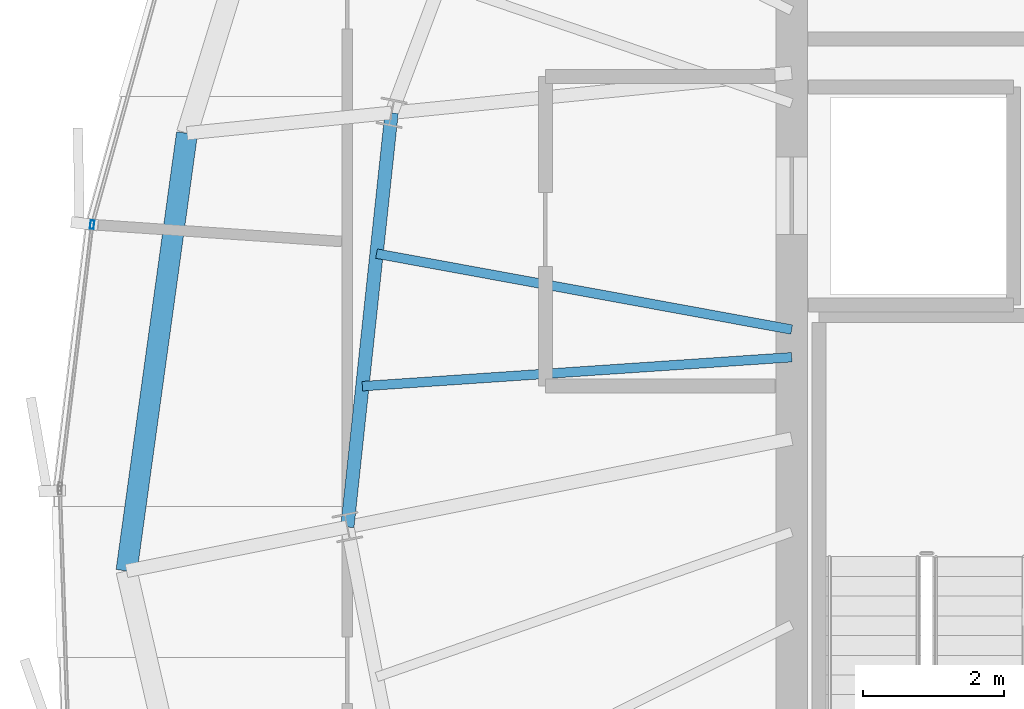
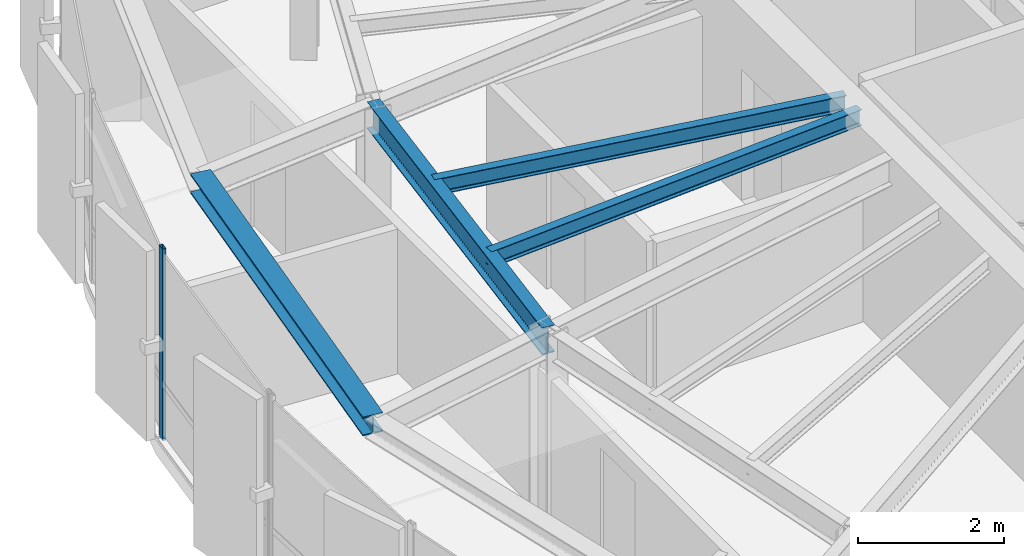
# One storey, part 10 of 31: 4 beams, 1 member, 1 element without a shape of its own.
"""IFC4 building model written with IfcOpenShell, lengths in metres."""

from ifc_helpers import new_model, si_unit, direction, frame, origin, origin_2d, place, context, subcontext, project, spatial, hollow_rectangle, i_section, extrude, source, transform, mapped, material, layer, layer_set, material_profile, profile_set, type_object, element, aggregate, save


model = new_model("IFC4")

# Units and contexts
model_context = context("Model", 3, precision=1e-05, world=origin(), true_north=direction((0.0, 1.0)))
body_context = subcontext(model_context, "Body", "Model", "MODEL_VIEW")
ifc_project = project(units=[si_unit("LENGTHUNIT", "METRE"), si_unit("AREAUNIT", "SQUARE_METRE"), si_unit("VOLUMEUNIT", "CUBIC_METRE"), si_unit("PLANEANGLEUNIT", "RADIAN"), si_unit("MASSUNIT", "GRAM", prefix="KILO"), si_unit("THERMODYNAMICTEMPERATUREUNIT", "KELVIN")], contexts=[model_context])

# Site, building, storey
site_placement = place(None, origin())
site = spatial("IfcSite", under=ifc_project, at=site_placement, CompositionType="ELEMENT")
building_placement = place(site_placement, origin())
building = spatial("IfcBuilding", under=site, at=building_placement, Name="Kethvar Cultural Tower", CompositionType="ELEMENT")
storey_placement = place(building_placement, frame((0.0, 0.0, 283.60009765625)))
storey = spatial("IfcBuildingStorey", under=building, at=storey_placement, Name="L75", CompositionType="ELEMENT", Elevation=283.60009765625)

# Beams
ifc_material_1 = material(Name="Steel S355J2", Category="steel")
ifc_material_profile_1 = material_profile(ifc_material_1, i_section(OverallWidth=0.18994140625, OverallDepth=0.449951171875, WebThickness=0.009521484375, FlangeThickness=0.0146484375, FilletRadius=0.02099609375, at=origin_2d()), Name="Steel S355J2 — IPE450")
ifc_profile_set_1 = profile_set([ifc_material_profile_1], Name="Steel S355J2 — IPE450")
beam_type_1 = type_object("IfcBeamType", Name="BM-IPE450", PredefinedType="BEAM", material=ifc_profile_set_1)
shared_shape_1 = source(origin(), body_context, "Body", "SweptSolid", [
    extrude(i_section(OverallWidth=0.18994140625, OverallDepth=0.449951171875, WebThickness=0.009521484375, FlangeThickness=0.0146484375, FilletRadius=0.02099609375, at=origin_2d()), origin(), (0.0, 0.0, 1.0), 5.92236328125),
])
beam_1_placement = place(storey_placement, frame((32.3125, 30.681884765625, 2.98291015625), z_axis=(-0.106272578913, -0.994337034899, 0.0), x_axis=(0.994337034899, -0.106272578913, 0.0)))
element("IfcBeam", 1, at=beam_1_placement, inside=storey, type_object=beam_type_1, Name="L75 Column Ring Tie Beam CR-08", PredefinedType="BEAM", context=body_context, shape_type="MappedRepresentation", body=[
    mapped(shared_shape_1, transform((0.0, 0.0, 0.0), scale=1.0)),
])
ifc_material_profile_2 = material_profile(ifc_material_1, i_section(OverallWidth=0.135009765625, OverallDepth=0.27001953125, WebThickness=0.006591796875, FlangeThickness=0.01025390625, FilletRadius=0.014892578125, at=origin_2d()), Name="Steel S355J2 — IPE270")
ifc_profile_set_2 = profile_set([ifc_material_profile_2], Name="Steel S355J2 — IPE270")
beam_type_2 = type_object("IfcBeamType", Name="BM-J270", PredefinedType="JOIST", material=ifc_profile_set_2)
shared_shape_2 = source(origin(), body_context, "Body", "SweptSolid", [
    extrude(i_section(OverallWidth=0.135009765625, OverallDepth=0.27001953125, WebThickness=0.006591796875, FlangeThickness=0.01025390625, FilletRadius=0.014892578125, at=origin_2d()), origin(), (0.0, 0.0, 1.0), 5.99951171875),
])
beam_2_placement = place(storey_placement, frame((38.0, 27.60009765625, 3.072998046875), z_axis=(-0.983676616141, 0.179945310742, 0.0), x_axis=(-0.179945310742, -0.983676616141, 0.0)))
element("IfcBeam", 2, at=beam_2_placement, inside=storey, type_object=beam_type_2, Name="L75 Composite Floor Joist J-08A", PredefinedType="JOIST", context=body_context, shape_type="MappedRepresentation", body=[
    mapped(shared_shape_2, transform((0.0, 0.0, 0.0), scale=1.0)),
])
shared_shape_3 = source(origin(), body_context, "Body", "SweptSolid", [
    extrude(i_section(OverallWidth=0.135009765625, OverallDepth=0.27001953125, WebThickness=0.006591796875, FlangeThickness=0.01025390625, FilletRadius=0.014892578125, at=origin_2d()), origin(), (0.0, 0.0, 1.0), 6.116943359375),
])
beam_3_placement = place(storey_placement, frame((38.0, 27.206787109375, 3.072998046875), z_axis=(-0.997733289627, -0.067292516454, 0.0), x_axis=(0.067292516454, -0.997733289627, 0.0)))
element("IfcBeam", 3, at=beam_3_placement, inside=storey, type_object=beam_type_2, Name="L75 Composite Floor Joist J-08B", PredefinedType="JOIST", context=body_context, shape_type="MappedRepresentation", body=[
    mapped(shared_shape_3, transform((0.0, 0.0, 0.0), scale=1.0)),
])
ifc_material_profile_3 = material_profile(ifc_material_1, i_section(OverallWidth=0.300048828125, OverallDepth=0.320068359375, WebThickness=0.011474609375, FlangeThickness=0.0205078125, FilletRadius=0.027099609375, at=origin_2d()), Name="Steel S355J2 — HEB320")
ifc_profile_set_3 = profile_set([ifc_material_profile_3], Name="Steel S355J2 — HEB320")
beam_type_3 = type_object("IfcBeamType", Name="BM-SP320", PredefinedType="SPANDREL", material=ifc_profile_set_3)
shared_shape_4 = source(origin(), body_context, "Body", "SweptSolid", [
    extrude(i_section(OverallWidth=0.300048828125, OverallDepth=0.320068359375, WebThickness=0.011474609375, FlangeThickness=0.0205078125, FilletRadius=0.027099609375, at=origin_2d()), origin(), (0.0, 0.0, 1.0), 6.28173828125),
])
beam_4_placement = place(storey_placement, frame((29.404541015625, 30.391357421875, 3.0478515625), z_axis=(-0.136920146607, -0.990582088195, 0.0), x_axis=(0.990582088195, -0.136920146607, 0.0)))
element("IfcBeam", 4, at=beam_4_placement, inside=storey, type_object=beam_type_3, Name="L75 Perimeter Spandrel Beam SP-08", PredefinedType="SPANDREL", context=body_context, shape_type="MappedRepresentation", body=[
    mapped(shared_shape_4, transform((0.0, 0.0, 0.0), scale=1.0)),
])

# Curtain wall, member
ifc_material_2 = material(Name="Aluminium 6063-T6", Category="aluminium")
ifc_layer = layer(ifc_material_2, 0.179931640625, Name="Aluminium 6063-T6", Category="aluminium")
ifc_layer_set = layer_set([ifc_layer], Name="Aluminium 6063-T6 (180 mm)")
curtain_wall_type = type_object("IfcCurtainWallType", Name="CW-SYS-05-Z56", PredefinedType="NOTDEFINED", material=ifc_layer_set)
curtain_wall_placement = place(storey_placement, origin())
curtain_wall = element("IfcCurtainWall", 5, at=curtain_wall_placement, inside=storey, type_object=curtain_wall_type, Name="L75 Curtain Wall Run 02", PredefinedType="NOTDEFINED")
ifc_material_profile_4 = material_profile(ifc_material_2, hollow_rectangle(XDim=0.054931640625, YDim=0.1201171875, WallThickness=0.00390625, at=origin_2d()), Name="Aluminium 6063-T6 — RHS120x55x4")
ifc_profile_set_4 = profile_set([ifc_material_profile_4], Name="Aluminium 6063-T6 — RHS120x55x4")
member_type = type_object("IfcMemberType", Name="CW-SYS-05-Z56-MUL", PredefinedType="MULLION", material=ifc_profile_set_4)
shared_shape_5 = source(origin(), body_context, "Body", "SweptSolid", [
    extrude(hollow_rectangle(XDim=0.054931640625, YDim=0.1201171875, WallThickness=0.00390625, at=origin_2d()), origin(), (0.0, 0.0, 1.0), 3.2099609375),
])
member_placement = place(storey_placement, frame((28.055419921875, 29.092041015625, 0.0), z_axis=(0.0, 0.0, 1.0), x_axis=(0.992588631597, -0.121522872021, 0.0)))
member = element("IfcMember", 6, at=member_placement, type_object=member_type, Name="CW-L75-R02 Mullion 6", PredefinedType="MULLION", context=body_context, shape_type="MappedRepresentation", body=[
    mapped(shared_shape_5, transform((0.0, 0.0, 0.0), scale=1.0)),
])
aggregate(curtain_wall, [member])

save(model, "model.ifc")
